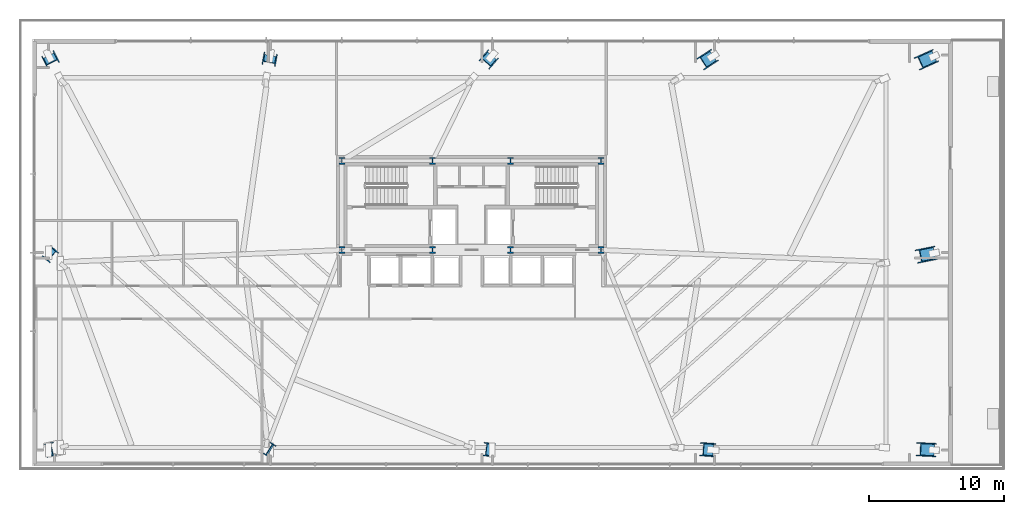
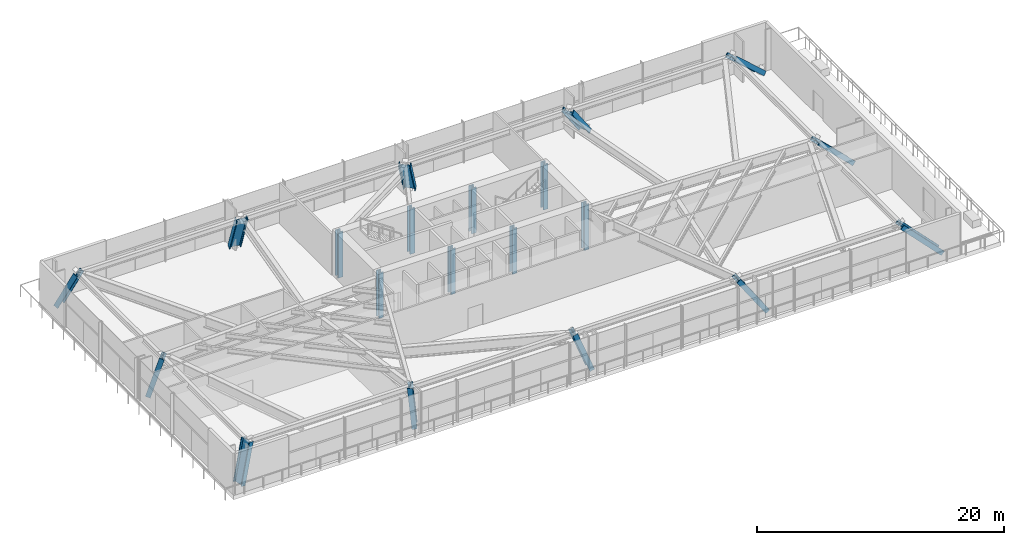
# One storey, part 1 of 30: 20 columns.
"""IFC4 building model written with IfcOpenShell, lengths in metres."""

from ifc_helpers import new_model, si_unit, direction, frame, origin, origin_2d, place, context, subcontext, project, spatial, i_section, extrude, source, transform, mapped, material, material_profile, profile_set, type_object, type_shapes, element, save


model = new_model("IFC4")

# Units and contexts
model_context = context("Model", 3, precision=1e-05, world=origin(), true_north=direction((0.0, 1.0)))
body_context = subcontext(model_context, "Body", "Model", "MODEL_VIEW")
ifc_project = project(units=[si_unit("LENGTHUNIT", "METRE"), si_unit("AREAUNIT", "SQUARE_METRE"), si_unit("VOLUMEUNIT", "CUBIC_METRE"), si_unit("PLANEANGLEUNIT", "RADIAN"), si_unit("MASSUNIT", "GRAM", prefix="KILO")], contexts=[model_context])

# Site, building, storey
site_placement = place(None, origin())
site = spatial("IfcSite", under=ifc_project, at=site_placement, CompositionType="ELEMENT")
building_placement = place(site_placement, origin())
building = spatial("IfcBuilding", under=site, at=building_placement, Name="Astriad Promenade Condominiums", CompositionType="ELEMENT")
storey_placement = place(building_placement, frame((0.0, 0.0, 14.0)))
storey = spatial("IfcBuildingStorey", under=building, at=storey_placement, Name="L03", CompositionType="ELEMENT", Elevation=14.0)

# Columns
ifc_material = material(Name="Steel ASTM A992 Grade 50", Category="steel")
ifc_material_profile_1 = material_profile(ifc_material, i_section(OverallWidth=0.43701171875, OverallDepth=0.51416015625, WebThickness=0.060546875, FlangeThickness=0.096923828125, FilletRadius=0.017822265625, at=origin_2d()), Name="W14X550")
ifc_profile_set_1 = profile_set([ifc_material_profile_1], Name="Steel ASTM A992 Grade 50")
column_type_1 = type_object("IfcColumnType", Name="STEEL CORE PILASTER W14X550", PredefinedType="PILASTER", material=ifc_profile_set_1)
shared_shape_1 = source(origin(), body_context, "Body", "SweptSolid", [
    extrude(i_section(OverallWidth=0.43701171875, OverallDepth=0.51416015625, WebThickness=0.060546875, FlangeThickness=0.096923828125, FilletRadius=0.017822265625, at=origin_2d()), origin(), (0.0, 0.0, 1.0), 4.49609375),
])
type_shapes(column_type_1, [shared_shape_1])
for number, where, z_axis, x_axis, name in (
    (1, (26.39990234375, 17.39990234375, 0.001953125), (0.0, 0.0, 1.0), (1.0, 0.0, 0.0), "Core Pilaster Column CP1 (L03)"),
    (2, (33.1201171875, 17.39990234375, 0.001953125), (0.0, 0.0, 1.0), (1.0, 0.0, 0.0), "Core Pilaster Column CP2 (L03)"),
    (3, (38.8798828125, 17.39990234375, 0.001953125), (0.0, 0.0, 1.0), (1.0, 0.0, 0.0), "Core Pilaster Column CP3 (L03)"),
    (4, (45.60009765625, 17.39990234375, 0.001953125), (0.0, 0.0, 1.0), (1.0, 0.0, 0.0), "Core Pilaster Column CP4 (L03)"),
    (5, (26.39990234375, 24.0, 0.001953125), (0.0, 0.0, 1.0), (1.0, 0.0, 0.0), "Core Pilaster Column CP5 (L03)"),
    (6, (33.1201171875, 24.0, 0.001953125), (0.0, 0.0, 1.0), (1.0, 0.0, 0.0), "Core Pilaster Column CP6 (L03)"),
    (7, (38.8798828125, 24.0, 0.001953125), (0.0, 0.0, 1.0), (1.0, 0.0, 0.0), "Core Pilaster Column CP7 (L03)"),
    (8, (45.60009765625, 24.0, 0.001953125), (0.0, 0.0, 1.0), (1.0, 0.0, 0.0), "Core Pilaster Column CP8 (L03)"),
):
    element("IfcColumn", number, at=place(storey_placement, frame(where, z_axis=z_axis, x_axis=x_axis)), inside=storey, type_object=column_type_1, Name=name, PredefinedType="PILASTER", context=body_context, shape_type="MappedRepresentation", body=[
        mapped(shared_shape_1, transform((0.0, 0.0, 0.0), scale=1.0)),
    ])
ifc_material_profile_2 = material_profile(ifc_material, i_section(OverallWidth=0.4375, OverallDepth=1.01123046875, WebThickness=0.041015625, FlangeThickness=0.073974609375, FilletRadius=0.024169921875, at=origin_2d()), Name="W36X529")
ifc_profile_set_2 = profile_set([ifc_material_profile_2], Name="Steel ASTM A992 Grade 50")
column_type_2 = type_object("IfcColumnType", Name="STEEL RAKING MEGA COLUMN W36X529", PredefinedType="COLUMN", material=ifc_profile_set_2)
shared_shape_2 = source(origin(), body_context, "Body", "SweptSolid", [
    extrude(i_section(OverallWidth=0.4375, OverallDepth=1.01123046875, WebThickness=0.041015625, FlangeThickness=0.073974609375, FilletRadius=0.024169921875, at=origin_2d()), origin(), (0.0, 0.0, 1.0), 4.059326171875),
])
column_1_placement = place(storey_placement, frame((4.693359375, 2.5830078125, 0.060302734375), z_axis=(0.215134602061, 0.047814371999, 0.97541318877), x_axis=(-0.952179469381, -0.211625014861, 0.220384008435)))
element("IfcColumn", 9, at=column_1_placement, inside=storey, type_object=column_type_2, Name="Raking Mega-Strut Column PC01 (L03)", PredefinedType="COLUMN", context=body_context, shape_type="MappedRepresentation", body=[
    mapped(shared_shape_2, transform((0.0, 0.0, 0.0), scale=1.0)),
])
shared_shape_3 = source(origin(), body_context, "Body", "SweptSolid", [
    extrude(i_section(OverallWidth=0.4375, OverallDepth=1.01123046875, WebThickness=0.041015625, FlangeThickness=0.073974609375, FilletRadius=0.024169921875, at=origin_2d()), origin(), (0.0, 0.0, 1.0), 4.03271484375),
])
column_2_placement = place(storey_placement, frame((21.1123046875, 2.58154296875, 0.032470703125), z_axis=(-0.079308537236, 0.048795939704, 0.995655117091), x_axis=(0.848002409815, -0.521748047565, 0.093117602043)))
element("IfcColumn", 10, at=column_2_placement, inside=storey, type_object=column_type_2, Name="Raking Mega-Strut Column PC02 (L03)", PredefinedType="COLUMN", context=body_context, shape_type="MappedRepresentation", body=[
    mapped(shared_shape_3, transform((0.0, 0.0, 0.0), scale=1.0)),
])
shared_shape_4 = source(origin(), body_context, "Body", "SweptSolid", [
    extrude(i_section(OverallWidth=0.4375, OverallDepth=1.01123046875, WebThickness=0.041015625, FlangeThickness=0.073974609375, FilletRadius=0.024169921875, at=origin_2d()), origin(), (0.0, 0.0, 1.0), 4.176025390625),
])
column_3_placement = place(storey_placement, frame((37.515625, 2.58447265625, 0.090087890625), z_axis=(-0.354756489116, 0.045776916773, 0.933837409467), x_axis=(0.92615864884, -0.119509265333, 0.357697767227)))
element("IfcColumn", 11, at=column_3_placement, inside=storey, type_object=column_type_2, Name="Raking Mega-Strut Column PC03 (L03)", PredefinedType="COLUMN", context=body_context, shape_type="MappedRepresentation", body=[
    mapped(shared_shape_4, transform((0.0, 0.0, 0.0), scale=1.0)),
])
shared_shape_5 = source(origin(), body_context, "Body", "SweptSolid", [
    extrude(i_section(OverallWidth=0.4375, OverallDepth=1.01123046875, WebThickness=0.041015625, FlangeThickness=0.073974609375, FilletRadius=0.024169921875, at=origin_2d()), origin(), (0.0, 0.0, 1.0), 4.611083984375),
])
column_4_placement = place(storey_placement, frame((53.89306640625, 2.586669921875, 0.13525390625), z_axis=(-0.561931105076, 0.040504786148, 0.826191742543), x_axis=(0.824053735874, -0.059398954861, 0.563389034818)))
element("IfcColumn", 12, at=column_4_placement, inside=storey, type_object=column_type_2, Name="Raking Mega-Strut Column PC04 (L03)", PredefinedType="COLUMN", context=body_context, shape_type="MappedRepresentation", body=[
    mapped(shared_shape_5, transform((0.0, 0.0, 0.0), scale=1.0)),
])
shared_shape_6 = source(origin(), body_context, "Body", "SweptSolid", [
    extrude(i_section(OverallWidth=0.4375, OverallDepth=1.01123046875, WebThickness=0.041015625, FlangeThickness=0.073974609375, FilletRadius=0.024169921875, at=origin_2d()), origin(), (0.0, 0.0, 1.0), 5.254150390625),
])
column_5_placement = place(storey_placement, frame((70.258056640625, 2.588134765625, 0.165283203125), z_axis=(-0.69964600083, 0.034989270016, 0.713632415538), x_axis=(0.712741689946, -0.035644184933, 0.700520360513)))
element("IfcColumn", 13, at=column_5_placement, inside=storey, type_object=column_type_2, Name="Raking Mega-Strut Column PC05 (L03)", PredefinedType="COLUMN", context=body_context, shape_type="MappedRepresentation", body=[
    mapped(shared_shape_6, transform((0.0, 0.0, 0.0), scale=1.0)),
])
shared_shape_7 = source(origin(), body_context, "Body", "SweptSolid", [
    extrude(i_section(OverallWidth=0.4375, OverallDepth=1.01123046875, WebThickness=0.041015625, FlangeThickness=0.073974609375, FilletRadius=0.024169921875, at=origin_2d()), origin(), (0.0, 0.0, 1.0), 4.306640625),
])
column_6_placement = place(storey_placement, frame((4.7041015625, 31.77197265625, 0.10888671875), z_axis=(0.197794721516, -0.395646133982, 0.896850815245), x_axis=(-0.401037899651, 0.802190742809, 0.442333149554)))
element("IfcColumn", 14, at=column_6_placement, inside=storey, type_object=column_type_2, Name="Raking Mega-Strut Column PC06 (L03)", PredefinedType="COLUMN", context=body_context, shape_type="MappedRepresentation", body=[
    mapped(shared_shape_7, transform((0.0, 0.0, 0.0), scale=1.0)),
])
shared_shape_8 = source(origin(), body_context, "Body", "SweptSolid", [
    extrude(i_section(OverallWidth=0.4375, OverallDepth=1.01123046875, WebThickness=0.041015625, FlangeThickness=0.073974609375, FilletRadius=0.024169921875, at=origin_2d()), origin(), (0.0, 0.0, 1.0), 4.248779296875),
])
column_7_placement = place(storey_placement, frame((21.10693359375, 31.775146484375, 0.1015625), z_axis=(-0.072689306686, -0.402578089045, 0.912495011994), x_axis=(0.162137870713, 0.897974642067, 0.409087830527)))
element("IfcColumn", 15, at=column_7_placement, inside=storey, type_object=column_type_2, Name="Raking Mega-Strut Column PC07 (L03)", PredefinedType="COLUMN", context=body_context, shape_type="MappedRepresentation", body=[
    mapped(shared_shape_8, transform((0.0, 0.0, 0.0), scale=1.0)),
])
shared_shape_9 = source(origin(), body_context, "Body", "SweptSolid", [
    extrude(i_section(OverallWidth=0.4375, OverallDepth=1.01123046875, WebThickness=0.041015625, FlangeThickness=0.073974609375, FilletRadius=0.024169921875, at=origin_2d()), origin(), (0.0, 0.0, 1.0), 4.438720703125),
])
column_8_placement = place(storey_placement, frame((37.503662109375, 31.76611328125, 0.1220703125), z_axis=(-0.328309889154, -0.381277291274, 0.864199192225), x_axis=(0.563897911595, 0.654873567294, 0.503149834699)))
element("IfcColumn", 16, at=column_8_placement, inside=storey, type_object=column_type_2, Name="Raking Mega-Strut Column PC08 (L03)", PredefinedType="COLUMN", context=body_context, shape_type="MappedRepresentation", body=[
    mapped(shared_shape_9, transform((0.0, 0.0, 0.0), scale=1.0)),
])
shared_shape_10 = source(origin(), body_context, "Body", "SweptSolid", [
    extrude(i_section(OverallWidth=0.4375, OverallDepth=1.01123046875, WebThickness=0.041015625, FlangeThickness=0.073974609375, FilletRadius=0.024169921875, at=origin_2d()), origin(), (0.0, 0.0, 1.0), 4.8671875),
])
column_9_placement = place(storey_placement, frame((53.88330078125, 31.75390625, 0.149658203125), z_axis=(-0.528345733155, -0.34269990021, 0.776793128608), x_axis=(0.651705470609, 0.42271449494, 0.629755853761)))
element("IfcColumn", 17, at=column_9_placement, inside=storey, type_object=column_type_2, Name="Raking Mega-Strut Column PC09 (L03)", PredefinedType="COLUMN", context=body_context, shape_type="MappedRepresentation", body=[
    mapped(shared_shape_10, transform((0.0, 0.0, 0.0), scale=1.0)),
])
shared_shape_11 = source(origin(), body_context, "Body", "SweptSolid", [
    extrude(i_section(OverallWidth=0.4375, OverallDepth=1.01123046875, WebThickness=0.041015625, FlangeThickness=0.073974609375, FilletRadius=0.024169921875, at=origin_2d()), origin(), (0.0, 0.0, 1.0), 5.485107421875),
])
column_10_placement = place(storey_placement, frame((70.251220703125, 31.744140625, 0.172119140625), z_axis=(-0.667720931112, -0.30047886988, 0.681073569382), x_axis=(0.621084085241, 0.279491978367, 0.73221499103)))
element("IfcColumn", 18, at=column_10_placement, inside=storey, type_object=column_type_2, Name="Raking Mega-Strut Column PC10 (L03)", PredefinedType="COLUMN", context=body_context, shape_type="MappedRepresentation", body=[
    mapped(shared_shape_11, transform((0.0, 0.0, 0.0), scale=1.0)),
])
shared_shape_12 = source(origin(), body_context, "Body", "SweptSolid", [
    extrude(i_section(OverallWidth=0.4375, OverallDepth=1.01123046875, WebThickness=0.041015625, FlangeThickness=0.073974609375, FilletRadius=0.024169921875, at=origin_2d()), origin(), (0.0, 0.0, 1.0), 4.099853515625),
])
column_11_placement = place(storey_placement, frame((4.6962890625, 17.185546875, 0.073974609375), z_axis=(0.211578067656, -0.188056160332, 0.959098327518), x_axis=(-0.716861290505, 0.637165199948, 0.283073132162)))
element("IfcColumn", 19, at=column_11_placement, inside=storey, type_object=column_type_2, Name="Raking Mega-Strut Column PC11 (L03)", PredefinedType="COLUMN", context=body_context, shape_type="MappedRepresentation", body=[
    mapped(shared_shape_12, transform((0.0, 0.0, 0.0), scale=1.0)),
])
shared_shape_13 = source(origin(), body_context, "Body", "SweptSolid", [
    extrude(i_section(OverallWidth=0.4375, OverallDepth=1.01123046875, WebThickness=0.041015625, FlangeThickness=0.073974609375, FilletRadius=0.024169921875, at=origin_2d()), origin(), (0.0, 0.0, 1.0), 5.29833984375),
])
type_shapes(column_type_2, [shared_shape_2, shared_shape_3, shared_shape_4, shared_shape_5, shared_shape_6, shared_shape_7, shared_shape_8, shared_shape_9, shared_shape_10, shared_shape_11, shared_shape_12, shared_shape_13])
column_12_placement = place(storey_placement, frame((70.256591796875, 17.167236328125, 0.16650390625), z_axis=(-0.693307662759, -0.138652316712, 0.70717750235), x_axis=(0.693446365663, 0.138680055449, 0.707036052949)))
element("IfcColumn", 20, at=column_12_placement, inside=storey, type_object=column_type_2, Name="Raking Mega-Strut Column PC12 (L03)", PredefinedType="COLUMN", context=body_context, shape_type="MappedRepresentation", body=[
    mapped(shared_shape_13, transform((0.0, 0.0, 0.0), scale=1.0)),
])

save(model, "model.ifc")
